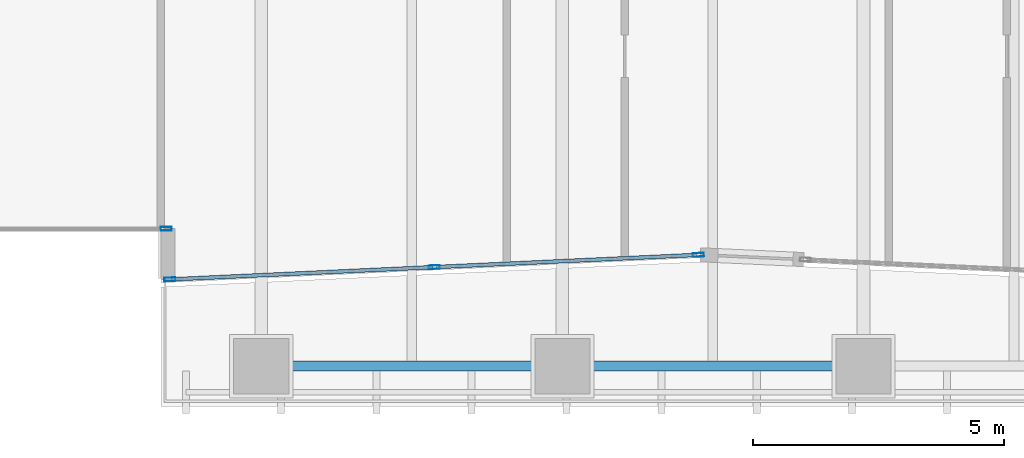
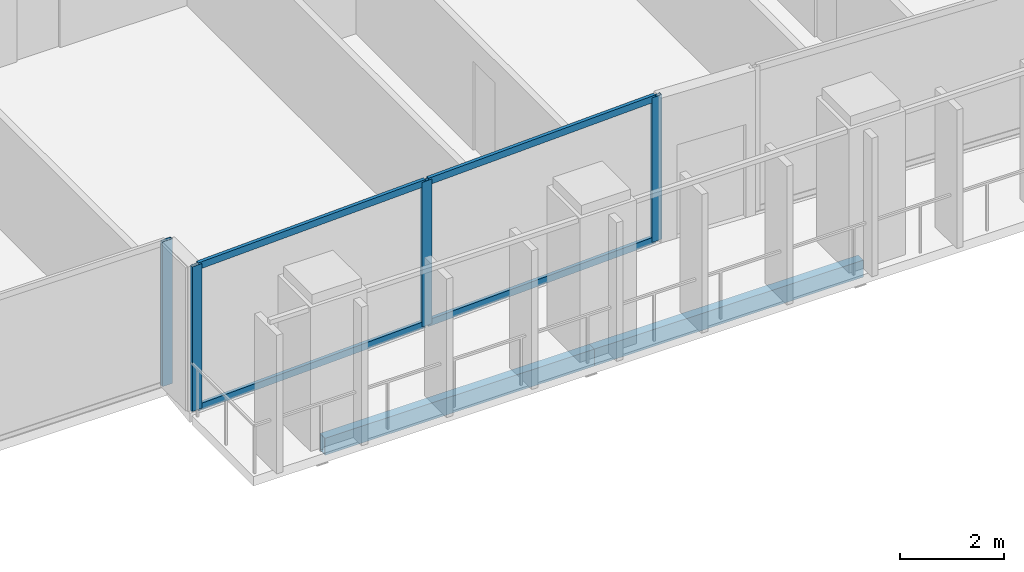
# One storey, part 5 of 31: 8 members, 2 beams, 2 elements without a shape of their own.
"""IFC4 building model written with IfcOpenShell, lengths in metres."""

from ifc_helpers import new_model, si_unit, direction, frame, origin, origin_2d, place, context, subcontext, project, spatial, hollow_rectangle, extrude, material, layer, layer_set, material_profile, profile_set, type_object, element, aggregate, save


model = new_model("IFC4")

# Units and contexts
model_context = context("Model", 3, precision=1e-05, world=origin(), true_north=direction((0.0, 1.0)))
body_context = subcontext(model_context, "Body", "Model", "MODEL_VIEW")
ifc_project = project(units=[si_unit("LENGTHUNIT", "METRE"), si_unit("AREAUNIT", "SQUARE_METRE"), si_unit("VOLUMEUNIT", "CUBIC_METRE"), si_unit("PLANEANGLEUNIT", "RADIAN"), si_unit("MASSUNIT", "GRAM", prefix="KILO")], contexts=[model_context])

# Site, building, storey
site_placement = place(None, origin())
site = spatial("IfcSite", under=ifc_project, at=site_placement, CompositionType="ELEMENT")
building_placement = place(site_placement, origin())
building = spatial("IfcBuilding", under=site, at=building_placement, Name="Tanjung Sevakor Pilgrim Tower", CompositionType="ELEMENT")
storey_placement = place(building_placement, frame((0.0, 0.0, 58.739990234375)))
storey = spatial("IfcBuildingStorey", under=building, at=storey_placement, Name="L16", CompositionType="ELEMENT", Elevation=58.739990234375)

# Beams
ifc_material_1 = material(Name="Steel S355J2", Category="steel")
ifc_material_profile_1 = material_profile(ifc_material_1, hollow_rectangle(XDim=0.199951171875, YDim=0.39990234375, WallThickness=0.01611328125, at=origin_2d()))
ifc_profile_set_1 = profile_set([ifc_material_profile_1], Name="Steel S355J2")
beam_type = type_object("IfcBeamType", Name="BM-B-SP2-RHS_400x200x16", PredefinedType="SPANDREL", material=ifc_profile_set_1)
for number, where, z_axis, x_axis, name in (
    (1, (54.0, 8.39990234375, -0.419921875), (1.0, 0.0, 0.0), (0.0, 1.0, 0.0), "L16 Spandrel MAIN S-07"),
    (2, (60.0, 8.39990234375, -0.419921875), (1.0, 0.0, 0.0), (0.0, 1.0, 0.0), "L16 Spandrel MAIN S-09"),
):
    element("IfcBeam", number, at=place(storey_placement, frame(where, z_axis=z_axis, x_axis=x_axis)), inside=storey, type_object=beam_type, Name=name, PredefinedType="SPANDREL", context=body_context, shape_type="SweptSolid", body=[
        extrude(hollow_rectangle(XDim=0.199951171875, YDim=0.39990234375, WallThickness=0.01611328125, at=origin_2d()), origin(), (0.0, 0.0, 1.0), 6.0),
    ])

# Curtain wall, member
ifc_material_2 = material(Name="Aluminium 6063-T6 and Low-E Glass", Category="aluminium")
ifc_layer_1 = layer(ifc_material_2, 0.179931640625)
ifc_layer_set_1 = layer_set([ifc_layer_1], Name="CW-SYS-CLEFT")
curtain_wall_type_1 = type_object("IfcCurtainWallType", Name="CW-SYS-CLEFT", PredefinedType="NOTDEFINED", material=ifc_layer_set_1)
curtain_wall_1_placement = place(storey_placement, origin())
curtain_wall_1 = element("IfcCurtainWall", 3, at=curtain_wall_1_placement, inside=storey, type_object=curtain_wall_type_1, Name="L16 Curtain Wall CW-CLF-L16-7", PredefinedType="NOTDEFINED")
ifc_material_3 = material(Name="Aluminium 6063-T6", Category="aluminium")
ifc_material_profile_2 = material_profile(ifc_material_3, hollow_rectangle(XDim=0.074951171875, YDim=0.219970703125, WallThickness=0.0048828125, at=origin_2d()))
ifc_profile_set_2 = profile_set([ifc_material_profile_2], Name="Aluminium 6063-T6")
member_type_1 = type_object("IfcMemberType", Name="TYPE-CWM-2", PredefinedType="MULLION", material=ifc_profile_set_2)
member_1_placement = place(storey_placement, frame((52.1025390625, 11.139892578125, 0.0), z_axis=(0.0, 0.0, 1.0), x_axis=(0.0, 1.0, 0.0)))
member_1 = element("IfcMember", 4, at=member_1_placement, type_object=member_type_1, Name="CW-CLF mullion 2", PredefinedType="MULLION", context=body_context, shape_type="SweptSolid", body=[
    extrude(hollow_rectangle(XDim=0.074951171875, YDim=0.219970703125, WallThickness=0.0048828125, at=origin_2d()), origin(), (0.0, 0.0, 1.0), 3.409912109375),
])
aggregate(curtain_wall_1, [member_1])

# Curtain wall, members
ifc_material_4 = material(Name="Aluminium 6063-T6 and Low-E Glass", Category="aluminium")
ifc_layer_2 = layer(ifc_material_4, 0.199951171875)
ifc_layer_set_2 = layer_set([ifc_layer_2], Name="CW-SYS-PRAY")
curtain_wall_type_2 = type_object("IfcCurtainWallType", Name="CW-SYS-PRAY", PredefinedType="NOTDEFINED", material=ifc_layer_set_2)
curtain_wall_2_placement = place(storey_placement, origin())
curtain_wall_2 = element("IfcCurtainWall", 5, at=curtain_wall_2_placement, inside=storey, type_object=curtain_wall_type_2, Name="L16 Curtain Wall CW-PRY-L16-9", PredefinedType="NOTDEFINED")
member_2_placement = place(storey_placement, frame((52.177490234375, 10.12841796875, 0.0), z_axis=(0.0, 0.0, 1.0), x_axis=(-0.046462491741, 0.998920035269, 0.0)))
member_2 = element("IfcMember", 6, at=member_2_placement, type_object=member_type_1, Name="CW-PRY mullion 1", PredefinedType="MULLION", context=body_context, shape_type="SweptSolid", body=[
    extrude(hollow_rectangle(XDim=0.074951171875, YDim=0.219970703125, WallThickness=0.0048828125, at=origin_2d()), origin(), (0.0, 0.0, 1.0), 3.409912109375),
])
member_3_placement = place(storey_placement, frame((57.445068359375, 10.37353515625, 0.0), z_axis=(0.0, 0.0, 1.0), x_axis=(-0.046462491741, 0.998920035269, 0.0)))
member_3 = element("IfcMember", 7, at=member_3_placement, type_object=member_type_1, Name="CW-PRY mullion 2", PredefinedType="MULLION", context=body_context, shape_type="SweptSolid", body=[
    extrude(hollow_rectangle(XDim=0.074951171875, YDim=0.219970703125, WallThickness=0.0048828125, at=origin_2d()), origin(), (0.0, 0.0, 1.0), 3.409912109375),
])
member_4_placement = place(storey_placement, frame((62.712646484375, 10.618408203125, 0.0), z_axis=(0.0, 0.0, 1.0), x_axis=(-0.046462491741, 0.998920035269, 0.0)))
member_4 = element("IfcMember", 8, at=member_4_placement, type_object=member_type_1, Name="CW-PRY mullion 3", PredefinedType="MULLION", context=body_context, shape_type="SweptSolid", body=[
    extrude(hollow_rectangle(XDim=0.074951171875, YDim=0.219970703125, WallThickness=0.0048828125, at=origin_2d()), origin(), (0.0, 0.0, 1.0), 3.409912109375),
])
ifc_material_5 = material(Name="Aluminium 6063-T6", Category="aluminium")
ifc_material_profile_3 = material_profile(ifc_material_5, hollow_rectangle(XDim=0.074951171875, YDim=0.159912109375, WallThickness=0.00439453125, at=origin_2d()))
ifc_profile_set_3 = profile_set([ifc_material_profile_3], Name="Aluminium 6063-T6")
member_type_2 = type_object("IfcMemberType", Name="TYPE-CWT-2", PredefinedType="USERDEFINED", material=ifc_profile_set_3)
member_5_placement = place(storey_placement, frame((52.21484375, 10.130126953125, 0.03759765625), z_axis=(0.998918463332, 0.046496275269, 0.0), x_axis=(-0.046496275269, 0.998918463332, 0.0)))
member_5 = element("IfcMember", 9, at=member_5_placement, type_object=member_type_2, Name="CW-PRY transom 1.1", ObjectType="TRANSOM", PredefinedType="USERDEFINED", context=body_context, shape_type="SweptSolid", body=[
    extrude(hollow_rectangle(XDim=0.074951171875, YDim=0.159912109375, WallThickness=0.00439453125, at=origin_2d()), origin(), (0.0, 0.0, 1.0), 5.1982421875),
])
member_6_placement = place(storey_placement, frame((52.21484375, 10.130126953125, 3.37255859375), z_axis=(0.998918463332, 0.046496275269, 0.0), x_axis=(-0.046496275269, 0.998918463332, 0.0)))
member_6 = element("IfcMember", 10, at=member_6_placement, type_object=member_type_2, Name="CW-PRY transom 1.2", ObjectType="TRANSOM", PredefinedType="USERDEFINED", context=body_context, shape_type="SweptSolid", body=[
    extrude(hollow_rectangle(XDim=0.074951171875, YDim=0.159912109375, WallThickness=0.00439453125, at=origin_2d()), origin(), (0.0, 0.0, 1.0), 5.1982421875),
])
member_7_placement = place(storey_placement, frame((57.482421875, 10.375244140625, 0.03759765625), z_axis=(0.998920643617, 0.046449410717, 0.0), x_axis=(-0.046449410717, 0.998920643617, 0.0)))
member_7 = element("IfcMember", 11, at=member_7_placement, type_object=member_type_2, Name="CW-PRY transom 2.1", ObjectType="TRANSOM", PredefinedType="USERDEFINED", context=body_context, shape_type="SweptSolid", body=[
    extrude(hollow_rectangle(XDim=0.074951171875, YDim=0.159912109375, WallThickness=0.00439453125, at=origin_2d()), origin(), (0.0, 0.0, 1.0), 5.1982421875),
])
member_8_placement = place(storey_placement, frame((57.482421875, 10.375244140625, 3.37255859375), z_axis=(0.998920643617, 0.046449410717, 0.0), x_axis=(-0.046449410717, 0.998920643617, 0.0)))
member_8 = element("IfcMember", 12, at=member_8_placement, type_object=member_type_2, Name="CW-PRY transom 2.2", ObjectType="TRANSOM", PredefinedType="USERDEFINED", context=body_context, shape_type="SweptSolid", body=[
    extrude(hollow_rectangle(XDim=0.074951171875, YDim=0.159912109375, WallThickness=0.00439453125, at=origin_2d()), origin(), (0.0, 0.0, 1.0), 5.1982421875),
])
aggregate(curtain_wall_2, [member_2, member_3, member_4, member_5, member_6, member_7, member_8])

save(model, "model.ifc")
